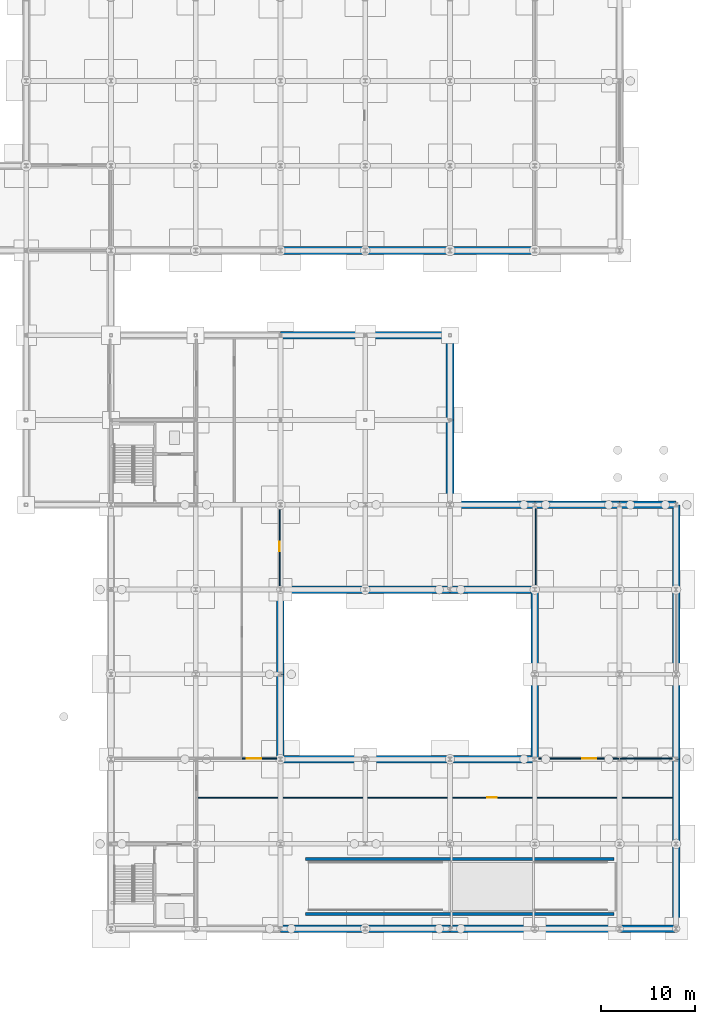
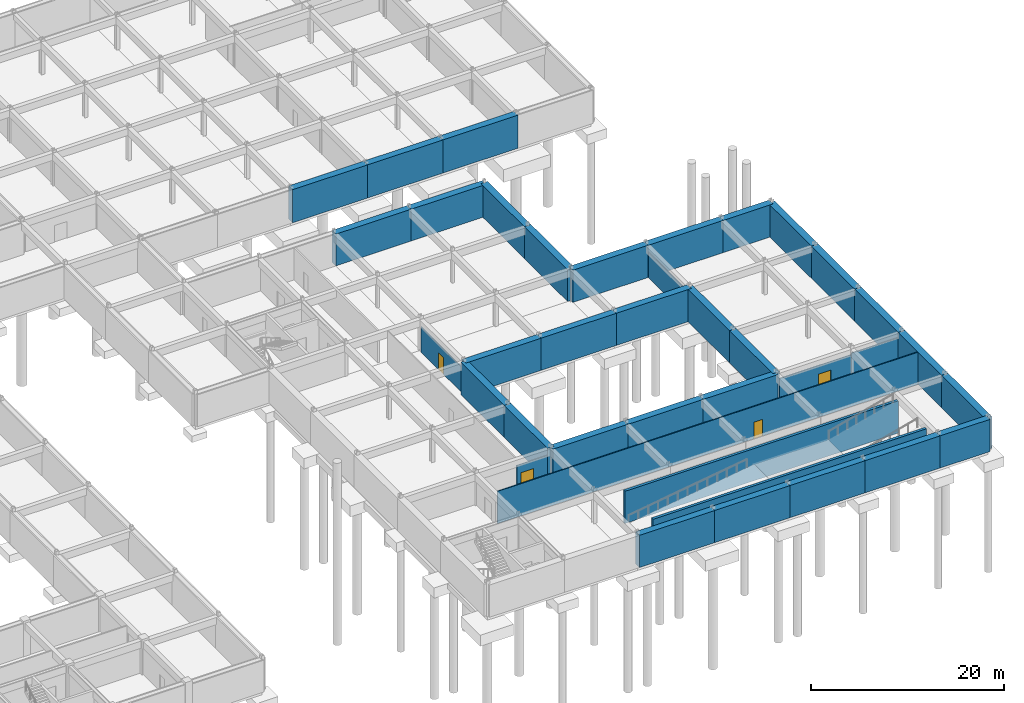
# One storey, part 30 of 41: 38 walls, 4 doors, 4 openings.
"""IFC4 building model written with IfcOpenShell, lengths in metres."""

from ifc_helpers import new_model, si_unit, direction, frame, frame_2d, origin, place, context, subcontext, project, spatial, rectangle, extrude, material, layer, layer_set, type_object, element, fill, save


model = new_model("IFC4")

# Units and contexts
model_context = context("Model", 3, precision=1e-05, world=origin(), true_north=direction((0.0, 1.0)))
body_context = subcontext(model_context, "Body", "Model", "MODEL_VIEW")
ifc_project = project(units=[si_unit("LENGTHUNIT", "METRE"), si_unit("AREAUNIT", "SQUARE_METRE"), si_unit("VOLUMEUNIT", "CUBIC_METRE"), si_unit("PLANEANGLEUNIT", "RADIAN"), si_unit("MASSUNIT", "GRAM", prefix="KILO")], contexts=[model_context])

# Site, building, storey
site_placement = place(None, origin())
site = spatial("IfcSite", under=ifc_project, at=site_placement, CompositionType="ELEMENT")
building_placement = place(site_placement, origin())
building = spatial("IfcBuilding", under=site, at=building_placement, Name="Palais des Congres Ocreval", CompositionType="ELEMENT")
storey_placement = place(building_placement, frame((0.0, 0.0, -8.9599609375)))
storey = spatial("IfcBuildingStorey", under=building, at=storey_placement, Name="B2", CompositionType="ELEMENT", Elevation=-8.9599609375)

# Walls
ifc_material_1 = material(Name="Concrete C40/50", Category="concrete")
ifc_layer_1 = layer(ifc_material_1, 0.320068359375)
ifc_layer_set_1 = layer_set([ifc_layer_1], Name="Ramp and Hoistway Shear Wall 320 Concrete C40/50")
wall_type_1 = type_object("IfcWallType", Name="Ramp and Hoistway Shear Wall 320 Concrete C40/50", PredefinedType="SHEAR", material=ifc_layer_set_1)
for number, where, z_axis, x_axis, name in (
    (1, (128.679931640625, 7.419921875, 0.0), (0.0, 0.0, 1.0), (1.0, 0.0, 0.0), "Basement Ramp North Shaft Wall B2"),
    (2, (128.679931640625, 1.580078125, 0.0), (0.0, 0.0, 1.0), (1.0, 0.0, 0.0), "Basement Ramp South Shaft Wall B2"),
):
    element("IfcWall", number, at=place(storey_placement, frame(where, z_axis=z_axis, x_axis=x_axis)), inside=storey, type_object=wall_type_1, Name=name, PredefinedType="SHEAR", context=body_context, shape_type="SweptSolid", body=[
        extrude(rectangle(XDim=32.739990234375, YDim=0.320068359375, at=frame_2d((16.3701171875, 0.0))), origin(), (0.0, 0.0, 1.0), 4.080078125),
    ])
ifc_material_2 = material(Name="Concrete C35/45", Category="concrete")
ifc_layer_2 = layer(ifc_material_2, 0.800048828125)
ifc_layer_set_2 = layer_set([ifc_layer_2], Name="Retaining Diaphragm Wall 800 Concrete C35/45")
wall_type_2 = type_object("IfcWallType", Name="Retaining Diaphragm Wall 800 Concrete C35/45", PredefinedType="USERDEFINED", material=ifc_layer_set_2)
for number, where, z_axis, x_axis, name in (
    (3, (153.0, 72.0, 0.0), (0.0, 0.0, 1.0), (-1.0, 0.0, 0.0), "Basement Diaphragm Wall RW01 B2"),
    (4, (144.0, 72.0, 0.0), (0.0, 0.0, 1.0), (-1.0, 0.0, 0.0), "Basement Diaphragm Wall RW01 B2"),
    (5, (135.0, 72.0, 0.0), (0.0, 0.0, 1.0), (-1.0, 0.0, 0.0), "Basement Diaphragm Wall RW01 B2"),
):
    element("IfcWall", number, at=place(storey_placement, frame(where, z_axis=z_axis, x_axis=x_axis)), inside=storey, type_object=wall_type_2, Name=name, ObjectType="RETAININGWALL", PredefinedType="USERDEFINED", context=body_context, shape_type="SweptSolid", body=[
        extrude(rectangle(XDim=9.0, YDim=0.800048828125, at=frame_2d((4.5, 0.0))), origin(), (0.0, 0.0, 1.0), 4.199951171875),
    ])
for number, where, z_axis, x_axis, name in (
    (6, (126.0, 63.0, 0.0), (0.0, 0.0, 1.0), (1.0, 0.0, 0.0), "Basement Diaphragm Wall RW01 B2"),
    (7, (135.0, 63.0, 0.0), (0.0, 0.0, 1.0), (1.0, 0.0, 0.0), "Basement Diaphragm Wall RW01 B2"),
    (8, (144.0, 63.0, 0.0), (0.0, 0.0, 1.0), (0.0, -1.0, 0.0), "Basement Diaphragm Wall RW01 B2"),
    (9, (144.0, 54.0, 0.0), (0.0, 0.0, 1.0), (0.0, -1.0, 0.0), "Basement Diaphragm Wall RW01 B2"),
):
    element("IfcWall", number, at=place(storey_placement, frame(where, z_axis=z_axis, x_axis=x_axis)), inside=storey, type_object=wall_type_2, Name=name, ObjectType="RETAININGWALL", PredefinedType="USERDEFINED", context=body_context, shape_type="SweptSolid", body=[
        extrude(rectangle(XDim=9.0, YDim=0.800048828125, at=frame_2d((4.5, 0.0))), origin(), (0.0, 0.0, 1.0), 4.030029296875),
    ])
for number, where, z_axis, x_axis, name in (
    (10, (144.0, 45.0, 0.0), (0.0, 0.0, 1.0), (1.0, 0.0, 0.0), "Basement Diaphragm Wall RW01 B2"),
    (11, (153.0, 45.0, 0.0), (0.0, 0.0, 1.0), (1.0, 0.0, 0.0), "Basement Diaphragm Wall RW01 B2"),
):
    element("IfcWall", number, at=place(storey_placement, frame(where, z_axis=z_axis, x_axis=x_axis)), inside=storey, type_object=wall_type_2, Name=name, ObjectType="RETAININGWALL", PredefinedType="USERDEFINED", context=body_context, shape_type="SweptSolid", body=[
        extrude(rectangle(XDim=9.0, YDim=0.800048828125, at=frame_2d((4.5, 0.0))), origin(), (0.0, 0.0, 1.0), 4.080078125),
    ])
wall_1_placement = place(storey_placement, frame((162.0, 45.0, 0.0), z_axis=(0.0, 0.0, 1.0), x_axis=(1.0, 0.0, 0.0)))
element("IfcWall", 12, at=wall_1_placement, inside=storey, type_object=wall_type_2, Name="Basement Diaphragm Wall RW01 B2", ObjectType="RETAININGWALL", PredefinedType="USERDEFINED", context=body_context, shape_type="SweptSolid", body=[
    extrude(rectangle(XDim=6.0, YDim=0.800048828125, at=frame_2d((3.0, 0.0))), origin(), (0.0, 0.0, 1.0), 4.080078125),
])
for number, where, z_axis, x_axis, name in (
    (13, (168.0, 45.0, 0.0), (0.0, 0.0, 1.0), (0.0, -1.0, 0.0), "Basement Diaphragm Wall RW01 B2"),
    (14, (168.0, 36.0, 0.0), (0.0, 0.0, 1.0), (0.0, -1.0, 0.0), "Basement Diaphragm Wall RW01 B2"),
    (15, (168.0, 27.0, 0.0), (0.0, 0.0, 1.0), (0.0, -1.0, 0.0), "Basement Diaphragm Wall RW01 B2"),
    (16, (168.0, 18.0, 0.0), (0.0, 0.0, 1.0), (0.0, -1.0, 0.0), "Basement Diaphragm Wall RW01 B2"),
    (17, (168.0, 9.0, 0.0), (0.0, 0.0, 1.0), (0.0, -1.0, 0.0), "Basement Diaphragm Wall RW01 B2"),
):
    element("IfcWall", number, at=place(storey_placement, frame(where, z_axis=z_axis, x_axis=x_axis)), inside=storey, type_object=wall_type_2, Name=name, ObjectType="RETAININGWALL", PredefinedType="USERDEFINED", context=body_context, shape_type="SweptSolid", body=[
        extrude(rectangle(XDim=9.0, YDim=0.800048828125, at=frame_2d((4.5, 0.0))), origin(), (0.0, 0.0, 1.0), 4.080078125),
    ])
wall_2_placement = place(storey_placement, frame((168.0, 0.0, 0.0), z_axis=(0.0, 0.0, 1.0), x_axis=(-1.0, 0.0, 0.0)))
element("IfcWall", 18, at=wall_2_placement, inside=storey, type_object=wall_type_2, Name="Basement Diaphragm Wall RW01 B2", ObjectType="RETAININGWALL", PredefinedType="USERDEFINED", context=body_context, shape_type="SweptSolid", body=[
    extrude(rectangle(XDim=6.0, YDim=0.800048828125, at=frame_2d((3.0, 0.0))), origin(), (0.0, 0.0, 1.0), 4.080078125),
])
for number, where, z_axis, x_axis, name in (
    (19, (162.0, 0.0, 0.0), (0.0, 0.0, 1.0), (-1.0, 0.0, 0.0), "Basement Diaphragm Wall RW01 B2"),
    (20, (153.0, 0.0, 0.0), (0.0, 0.0, 1.0), (-1.0, 0.0, 0.0), "Basement Diaphragm Wall RW01 B2"),
    (21, (144.0, 0.0, 0.0), (0.0, 0.0, 1.0), (-1.0, 0.0, 0.0), "Basement Diaphragm Wall RW01 B2"),
    (22, (135.0, 0.0, 0.0), (0.0, 0.0, 1.0), (-1.0, 0.0, 0.0), "Basement Diaphragm Wall RW01 B2"),
    (23, (153.0, 18.0, 0.0), (0.0, 0.0, 1.0), (0.0, 1.0, 0.0), "Basement Diaphragm Wall RW01 B2"),
    (24, (153.0, 27.0, 0.0), (0.0, 0.0, 1.0), (0.0, 1.0, 0.0), "Basement Diaphragm Wall RW01 B2"),
    (25, (153.0, 36.0, 0.0), (0.0, 0.0, 1.0), (-1.0, 0.0, 0.0), "Basement Diaphragm Wall RW01 B2"),
    (26, (144.0, 36.0, 0.0), (0.0, 0.0, 1.0), (-1.0, 0.0, 0.0), "Basement Diaphragm Wall RW01 B2"),
    (27, (135.0, 36.0, 0.0), (0.0, 0.0, 1.0), (-1.0, 0.0, 0.0), "Basement Diaphragm Wall RW01 B2"),
    (28, (126.0, 36.0, 0.0), (0.0, 0.0, 1.0), (0.0, -1.0, 0.0), "Basement Diaphragm Wall RW01 B2"),
    (29, (126.0, 27.0, 0.0), (0.0, 0.0, 1.0), (0.0, -1.0, 0.0), "Basement Diaphragm Wall RW01 B2"),
    (30, (126.0, 18.0, 0.0), (0.0, 0.0, 1.0), (1.0, 0.0, 0.0), "Basement Diaphragm Wall RW01 B2"),
    (31, (135.0, 18.0, 0.0), (0.0, 0.0, 1.0), (1.0, 0.0, 0.0), "Basement Diaphragm Wall RW01 B2"),
    (32, (144.0, 18.0, 0.0), (0.0, 0.0, 1.0), (1.0, 0.0, 0.0), "Basement Diaphragm Wall RW01 B2"),
):
    element("IfcWall", number, at=place(storey_placement, frame(where, z_axis=z_axis, x_axis=x_axis)), inside=storey, type_object=wall_type_2, Name=name, ObjectType="RETAININGWALL", PredefinedType="USERDEFINED", context=body_context, shape_type="SweptSolid", body=[
        extrude(rectangle(XDim=9.0, YDim=0.800048828125, at=frame_2d((4.5, 0.0))), origin(), (0.0, 0.0, 1.0), 4.080078125),
    ])
ifc_material_3 = material(Name="Gypsum board partition")
ifc_layer_3 = layer(ifc_material_3, 0.1201171875)
ifc_layer_set_3 = layer_set([ifc_layer_3], Name="Suite Subdivision Partition 120 Gypsum (Gypsum board partition)")
wall_type_3 = type_object("IfcWallType", Name="Suite Subdivision Partition 120 Gypsum", PredefinedType="PARTITIONING", material=ifc_layer_set_3)
wall_3_placement = place(storey_placement, frame((153.090087890625, 36.405029296875, 0.0), z_axis=(0.0, 0.0, 1.0), x_axis=(0.0, 1.0, 0.0)))
element("IfcWall", 33, at=wall_3_placement, inside=storey, type_object=wall_type_3, Name="Interior Partition IW04 B2", PredefinedType="PARTITIONING", context=body_context, shape_type="SweptSolid", body=[
    extrude(rectangle(XDim=8.18994140625, YDim=0.1201171875, at=frame_2d((4.094970703125, 0.0))), origin(), (0.0, 0.0, 1.0), 3.179931640625),
])

# Wall, opening, door
wall_4_placement = place(storey_placement, frame((117.219970703125, 13.909912109375, 0.0), z_axis=(0.0, 0.0, 1.0), x_axis=(1.0, 0.0, 0.0)))
wall_4 = element("IfcWall", 34, at=wall_4_placement, inside=storey, type_object=wall_type_3, Name="Interior Partition IW04 B2", PredefinedType="PARTITIONING", context=body_context, shape_type="SweptSolid", body=[
    extrude(rectangle(XDim=50.375, YDim=0.1201171875, at=frame_2d((25.1875, 0.0))), origin(), (0.0, 0.0, 1.0), 4.080078125),
])
opening_1_placement = place(wall_4_placement, frame((30.732421875, 0.0, 0.0)))
opening_1 = element("IfcOpeningElement", 35, at=opening_1_placement, cuts=wall_4, Name="Opening D10", PredefinedType="OPENING", context=body_context, shape_type="SweptSolid", body=[
    extrude(rectangle(XDim=1.0, YDim=2.10009765625, at=frame_2d((0.5, 1.050048828125))), frame((0.0, 0.070068359375, 0.0), z_axis=(0.0, -1.0, 0.0), x_axis=(1.0, 0.0, 0.0)), (0.0, 0.0, 1.0), 0.14013671875),
])
ifc_material_4 = material(Name="Painted steel", Category="steel")
door_type_1 = type_object("IfcDoorType", Name="Service and Pantry Door 1000x2100", OperationType="NOTDEFINED", PredefinedType="DOOR", material=ifc_material_4)
door_1_placement = place(opening_1_placement, origin())
door_1 = element("IfcDoor", 36, at=door_1_placement, inside=storey, type_object=door_type_1, Name="Interior Door D10 B2", OperationType="SINGLE_SWING_RIGHT", OverallHeight=2.10009765625, OverallWidth=1.0, PredefinedType="DOOR", context=body_context, shape_type="SweptSolid", body=[
    extrude(rectangle(XDim=1.0, YDim=2.10009765625, at=frame_2d((0.5, 1.050048828125))), frame((0.0, 0.02490234375, 0.0), z_axis=(0.0, -1.0, 0.0), x_axis=(1.0, 0.0, 0.0)), (0.0, 0.0, 1.0), 0.050048828125),
])
fill(opening_1, door_1)

wall_5_placement = place(storey_placement, frame((121.919921875, 18.06494140625, 0.0), z_axis=(0.0, 0.0, 1.0), x_axis=(1.0, 0.0, 0.0)))
wall_5 = element("IfcWall", 37, at=wall_5_placement, inside=storey, type_object=wall_type_3, Name="Interior Partition IW04 B2", PredefinedType="PARTITIONING", context=body_context, shape_type="SweptSolid", body=[
    extrude(rectangle(XDim=3.675048828125, YDim=0.1201171875, at=frame_2d((1.83740234375, 0.0))), origin(), (0.0, 0.0, 1.0), 3.179931640625),
])
opening_2_placement = place(wall_5_placement, frame((0.52490234375, 0.0, 0.0)))
opening_2 = element("IfcOpeningElement", 38, at=opening_2_placement, cuts=wall_5, Name="Opening D04", PredefinedType="OPENING", context=body_context, shape_type="SweptSolid", body=[
    extrude(rectangle(XDim=1.5, YDim=2.10009765625, at=frame_2d((0.75, 1.050048828125))), frame((0.0, 0.070068359375, 0.0), z_axis=(0.0, -1.0, 0.0), x_axis=(1.0, 0.0, 0.0)), (0.0, 0.0, 1.0), 0.14013671875),
])
ifc_material_5 = material(Name="Solid French oak fire door", Category="wood")
door_type_2 = type_object("IfcDoorType", Name="Corridor Compartment Double Door 1500x2100", OperationType="NOTDEFINED", PredefinedType="DOOR", material=ifc_material_5)
door_2_placement = place(opening_2_placement, origin())
door_2 = element("IfcDoor", 39, at=door_2_placement, inside=storey, type_object=door_type_2, Name="Interior Door D04 B2", OperationType="DOUBLE_DOOR_SINGLE_SWING", OverallHeight=2.10009765625, OverallWidth=1.5, PredefinedType="DOOR", context=body_context, shape_type="SweptSolid", body=[
    extrude(rectangle(XDim=1.5, YDim=2.10009765625, at=frame_2d((0.75, 1.050048828125))), frame((0.0, 0.02490234375, 0.0), z_axis=(0.0, -1.0, 0.0), x_axis=(1.0, 0.0, 0.0)), (0.0, 0.0, 1.0), 0.050048828125),
])
fill(opening_2, door_2)

wall_6_placement = place(storey_placement, frame((153.405029296875, 18.06494140625, 0.0), z_axis=(0.0, 0.0, 1.0), x_axis=(1.0, 0.0, 0.0)))
wall_6 = element("IfcWall", 40, at=wall_6_placement, inside=storey, type_object=wall_type_3, Name="Interior Partition IW04 B2", PredefinedType="PARTITIONING", context=body_context, shape_type="SweptSolid", body=[
    extrude(rectangle(XDim=8.614990234375, YDim=0.1201171875, at=frame_2d((4.3076171875, 0.0))), origin(), (0.0, 0.0, 1.0), 3.179931640625),
])
opening_3_placement = place(wall_6_placement, frame((4.64208984375, 0.0, 0.0)))
opening_3 = element("IfcOpeningElement", 41, at=opening_3_placement, cuts=wall_6, Name="Opening D04", PredefinedType="OPENING", context=body_context, shape_type="SweptSolid", body=[
    extrude(rectangle(XDim=1.5, YDim=2.10009765625, at=frame_2d((0.75, 1.050048828125))), frame((0.0, 0.070068359375, 0.0), z_axis=(0.0, -1.0, 0.0), x_axis=(1.0, 0.0, 0.0)), (0.0, 0.0, 1.0), 0.14013671875),
])
door_3_placement = place(opening_3_placement, origin())
door_3 = element("IfcDoor", 42, at=door_3_placement, inside=storey, type_object=door_type_2, Name="Interior Door D04 B2", OperationType="DOUBLE_DOOR_SINGLE_SWING", OverallHeight=2.10009765625, OverallWidth=1.5, PredefinedType="DOOR", context=body_context, shape_type="SweptSolid", body=[
    extrude(rectangle(XDim=1.5, YDim=2.10009765625, at=frame_2d((0.75, 1.050048828125))), frame((0.0, 0.02490234375, 0.0), z_axis=(0.0, -1.0, 0.0), x_axis=(1.0, 0.0, 0.0)), (0.0, 0.0, 1.0), 0.050048828125),
])
fill(opening_3, door_3)

wall_7_placement = place(storey_placement, frame((125.909912109375, 36.405029296875, 0.0), z_axis=(0.0, 0.0, 1.0), x_axis=(0.0, 1.0, 0.0)))
wall_7 = element("IfcWall", 43, at=wall_7_placement, inside=storey, type_object=wall_type_3, Name="Interior Partition IW04 B2", PredefinedType="PARTITIONING", context=body_context, shape_type="SweptSolid", body=[
    extrude(rectangle(XDim=8.324951171875, YDim=0.1201171875, at=frame_2d((4.16259765625, 0.0))), origin(), (0.0, 0.0, 1.0), 3.179931640625),
])
opening_4_placement = place(wall_7_placement, frame((3.66259765625, 0.0, 0.0)))
opening_4 = element("IfcOpeningElement", 44, at=opening_4_placement, cuts=wall_7, Name="Opening D10", PredefinedType="OPENING", context=body_context, shape_type="SweptSolid", body=[
    extrude(rectangle(XDim=1.0, YDim=2.10009765625, at=frame_2d((0.5, 1.050048828125))), frame((0.0, 0.070068359375, 0.0), z_axis=(0.0, -1.0, 0.0), x_axis=(1.0, 0.0, 0.0)), (0.0, 0.0, 1.0), 0.14013671875),
])
door_4_placement = place(opening_4_placement, origin())
door_4 = element("IfcDoor", 45, at=door_4_placement, inside=storey, type_object=door_type_1, Name="Interior Door D10 B2", OperationType="SINGLE_SWING_RIGHT", OverallHeight=2.10009765625, OverallWidth=1.0, PredefinedType="DOOR", context=body_context, shape_type="SweptSolid", body=[
    extrude(rectangle(XDim=1.0, YDim=2.10009765625, at=frame_2d((0.5, 1.050048828125))), frame((0.0, 0.02490234375, 0.0), z_axis=(0.0, -1.0, 0.0), x_axis=(1.0, 0.0, 0.0)), (0.0, 0.0, 1.0), 0.050048828125),
])
fill(opening_4, door_4)

# Wall
wall_8_placement = place(storey_placement, frame((162.02001953125, 18.06494140625, 0.0), z_axis=(0.0, 0.0, 1.0), x_axis=(1.0, 0.0, 0.0)))
element("IfcWall", 46, at=wall_8_placement, inside=storey, type_object=wall_type_3, Name="Interior Partition IW04 B2", PredefinedType="PARTITIONING", context=body_context, shape_type="SweptSolid", body=[
    extrude(rectangle(XDim=5.574951171875, YDim=0.1201171875, at=frame_2d((2.78759765625, 0.0))), origin(), (0.0, 0.0, 1.0), 3.3798828125),
])

save(model, "model.ifc")
